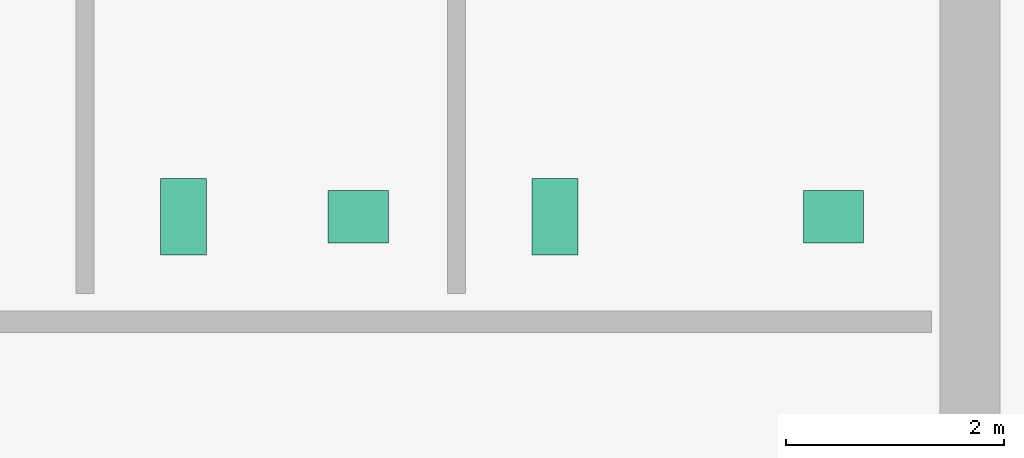
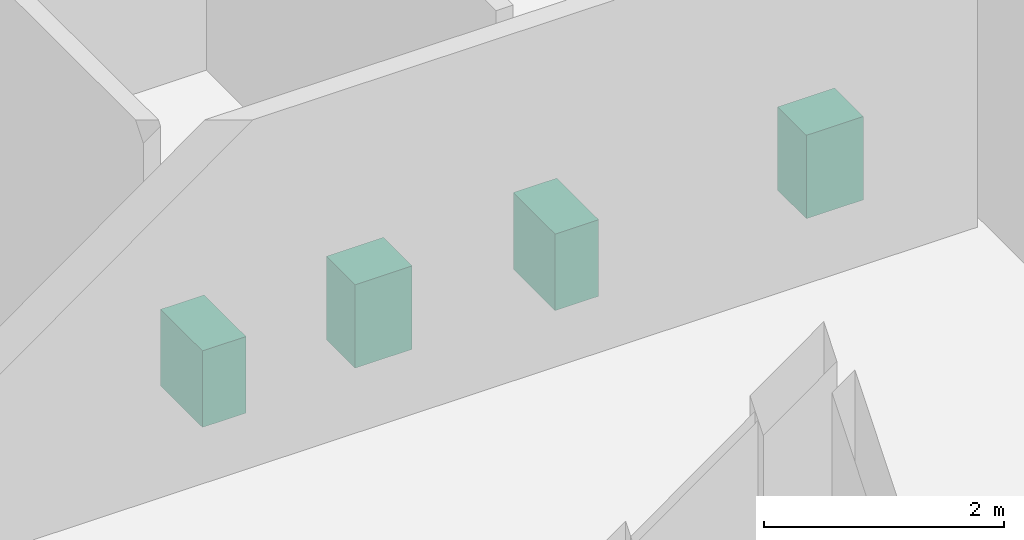
# One storey, part 10 of 10: 4 sanitary terminals.
"""IFC4 building model written with IfcOpenShell, lengths in metres."""

from ifc_helpers import new_model, si_unit, direction, frame, origin, origin_2d, place, context, subcontext, project, spatial, rectangle, extrude, material, type_object, element, save


model = new_model("IFC4")

# Units and contexts
model_context = context("Model", 3, precision=1e-05, world=origin(), true_north=direction((0.0, 1.0)))
body_context = subcontext(model_context, "Body", "Model", "MODEL_VIEW")
ifc_project = project(units=[si_unit("LENGTHUNIT", "METRE"), si_unit("AREAUNIT", "SQUARE_METRE"), si_unit("VOLUMEUNIT", "CUBIC_METRE"), si_unit("PLANEANGLEUNIT", "RADIAN"), si_unit("MASSUNIT", "GRAM", prefix="KILO")], contexts=[model_context])

# Site, building, storey
site_placement = place(None, origin())
site = spatial("IfcSite", under=ifc_project, at=site_placement, CompositionType="ELEMENT")
building_placement = place(site_placement, origin())
building = spatial("IfcBuilding", under=site, at=building_placement, Name="Norrvale University Quadrangle", CompositionType="ELEMENT")
storey_placement = place(building_placement, frame((0.0, 0.0, 273.39990234375)))
storey = spatial("IfcBuildingStorey", under=building, at=storey_placement, Name="L69", CompositionType="ELEMENT", Elevation=273.39990234375)

# Sanitary terminals
ifc_material = material(Name="Vitreous China Sanitaryware")
sanitary_terminal_type_1 = type_object("IfcSanitaryTerminalType", Name="Sanitary Wash Basin", PredefinedType="WASHHANDBASIN", material=ifc_material)
for number, where, z_axis, x_axis, name in (
    (1, (11.199951171875, 41.10009765625, 0.0), (0.0, 0.0, 1.0), (1.0, 0.0, 0.0), "Accessible Countertop Washbasin L69-1"),
    (2, (15.550048828125, 41.10009765625, 0.0), (0.0, 0.0, 1.0), (1.0, 0.0, 0.0), "Accessible Countertop Washbasin L69-2"),
):
    element("IfcSanitaryTerminal", number, at=place(storey_placement, frame(where, z_axis=z_axis, x_axis=x_axis)), inside=storey, type_object=sanitary_terminal_type_1, Name=name, PredefinedType="WASHHANDBASIN", context=body_context, shape_type="SweptSolid", body=[
        extrude(rectangle(XDim=0.550048828125, YDim=0.47998046875, at=origin_2d()), origin(), (0.0, 0.0, 1.0), 0.85009765625),
    ])
sanitary_terminal_type_2 = type_object("IfcSanitaryTerminalType", Name="Sanitary Water Closet", PredefinedType="TOILETPAN", material=ifc_material)
for number, where, z_axis, x_axis, name in (
    (3, (9.60009765625, 41.10009765625, 0.0), (0.0, 0.0, 1.0), (1.0, 0.0, 0.0), "Wall-Hung Water Closet L69-1"),
    (4, (13.0, 41.10009765625, 0.0), (0.0, 0.0, 1.0), (1.0, 0.0, 0.0), "Wall-Hung Water Closet L69-2"),
):
    element("IfcSanitaryTerminal", number, at=place(storey_placement, frame(where, z_axis=z_axis, x_axis=x_axis)), inside=storey, type_object=sanitary_terminal_type_2, Name=name, PredefinedType="TOILETPAN", context=body_context, shape_type="SweptSolid", body=[
        extrude(rectangle(XDim=0.419921875, YDim=0.699951171875, at=origin_2d()), origin(), (0.0, 0.0, 1.0), 0.780029296875),
    ])

save(model, "model.ifc")
